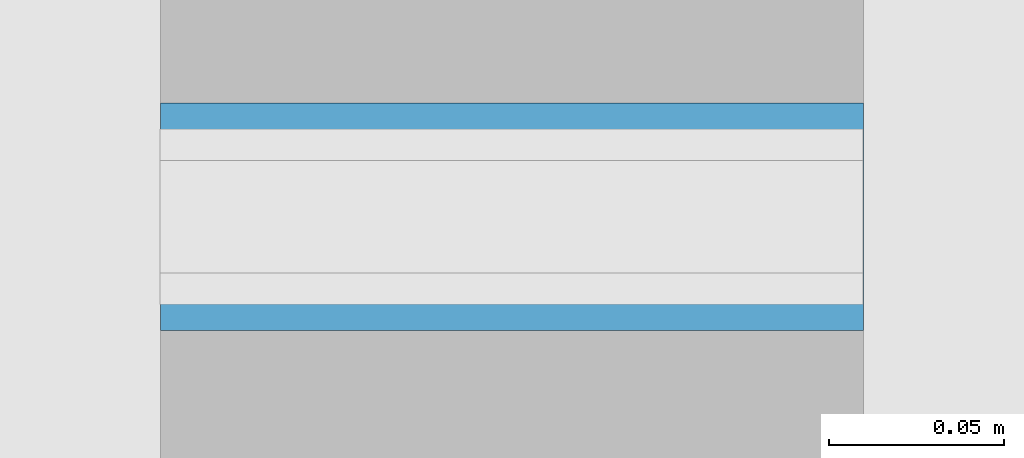
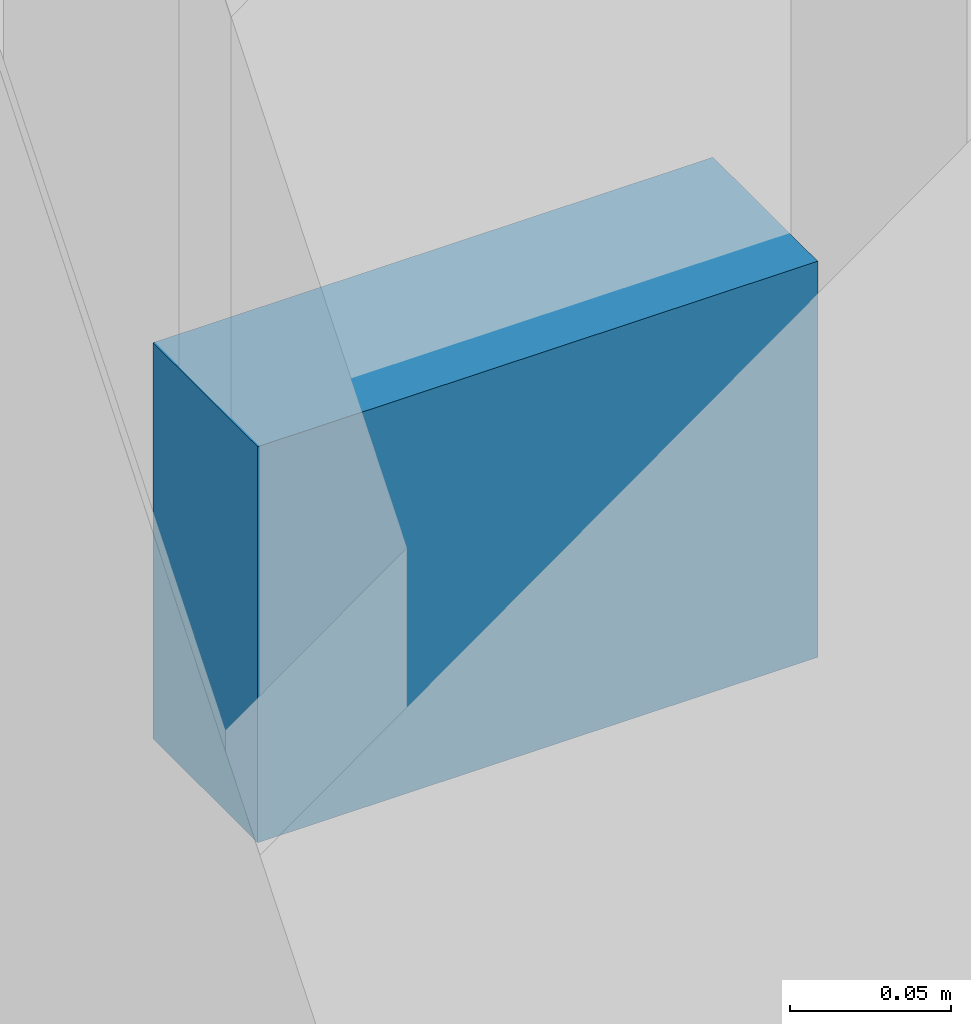
# One storey, part 7 of 15: 1 member, 1 element without a shape of its own.
"""IFC4 building model written with IfcOpenShell, lengths in metres."""

from ifc_helpers import new_model, si_unit, direction, frame, origin, origin_2d, place, context, subcontext, project, spatial, rectangle, extrude, material, material_profile, profile_set, type_object, element, aggregate, save


model = new_model("IFC4")

# Units and contexts
model_context = context("Model", 3, precision=1e-05, world=origin(), true_north=direction((0.0, 1.0)))
body_context = subcontext(model_context, "Body", "Model", "MODEL_VIEW")
ifc_project = project(units=[si_unit("LENGTHUNIT", "METRE"), si_unit("AREAUNIT", "SQUARE_METRE"), si_unit("VOLUMEUNIT", "CUBIC_METRE"), si_unit("PLANEANGLEUNIT", "RADIAN"), si_unit("MASSUNIT", "GRAM", prefix="KILO")], contexts=[model_context])

# Site, building, storey
site_placement = place(None, origin())
site = spatial("IfcSite", under=ifc_project, at=site_placement, CompositionType="ELEMENT")
building_placement = place(site_placement, origin())
building = spatial("IfcBuilding", under=site, at=building_placement, Name="Turquesa Mirador Hotel Tower", CompositionType="ELEMENT")
storey_placement = place(building_placement, frame((0.0, 0.0, 20.5)))
storey = spatial("IfcBuildingStorey", under=building, at=storey_placement, Name="L04", CompositionType="ELEMENT", Elevation=20.5)

# Curtain wall, member
ifc_material_1 = material(Name="Aluminium extrusion", Category="aluminium")
curtain_wall_type = type_object("IfcCurtainWallType", Name="CW-3 PODIUM UPPER CURTAIN WALL", PredefinedType="USERDEFINED", material=ifc_material_1)
curtain_wall_placement = place(storey_placement, origin())
curtain_wall = element("IfcCurtainWall", 1, at=curtain_wall_placement, inside=storey, type_object=curtain_wall_type, Name="CW-3 PODIUM UPPER CURTAIN WALL L04", ObjectType="CURTAIN WALL", PredefinedType="USERDEFINED")
ifc_material_2 = material(Name="Aluminium extrusion", Category="aluminium")
ifc_material_profile = material_profile(ifc_material_2, rectangle(XDim=0.06494140625, YDim=0.14990234375, at=origin_2d()), Name="TRANSOM 65X150")
ifc_profile_set = profile_set([ifc_material_profile], Name="Aluminium extrusion")
member_type = type_object("IfcMemberType", Name="CW TRANSOM 65X150", PredefinedType="USERDEFINED", material=ifc_profile_set)
member_placement = place(storey_placement, frame((78.76708984375, 21.64990234375, 1.10009765625), z_axis=(1.0, 0.0, 0.0), x_axis=(0.0, 1.0, 0.0)))
member = element("IfcMember", 2, at=member_placement, type_object=member_type, Name="Transom", ObjectType="TRANSOM", PredefinedType="USERDEFINED", context=body_context, shape_type="SweptSolid", body=[
    extrude(rectangle(XDim=0.06494140625, YDim=0.14990234375, at=origin_2d()), origin(), (0.0, 0.0, 1.0), 0.200439453125),
])
aggregate(curtain_wall, [member])

save(model, "model.ifc")
